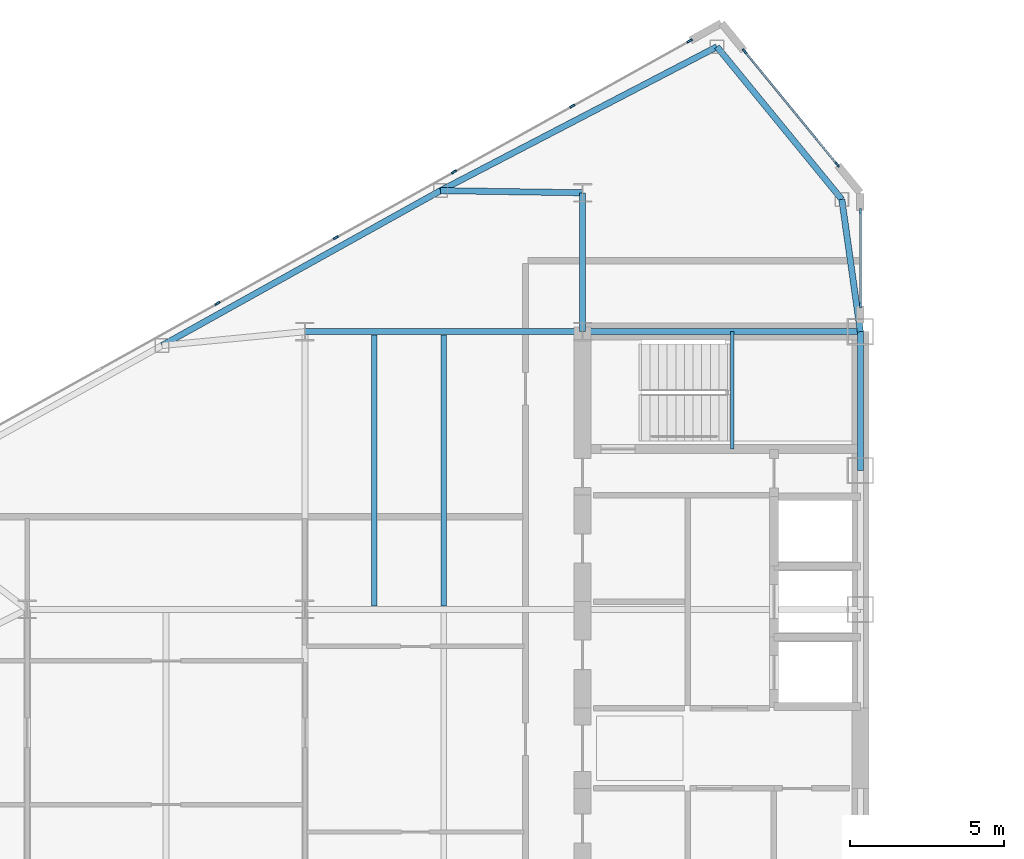
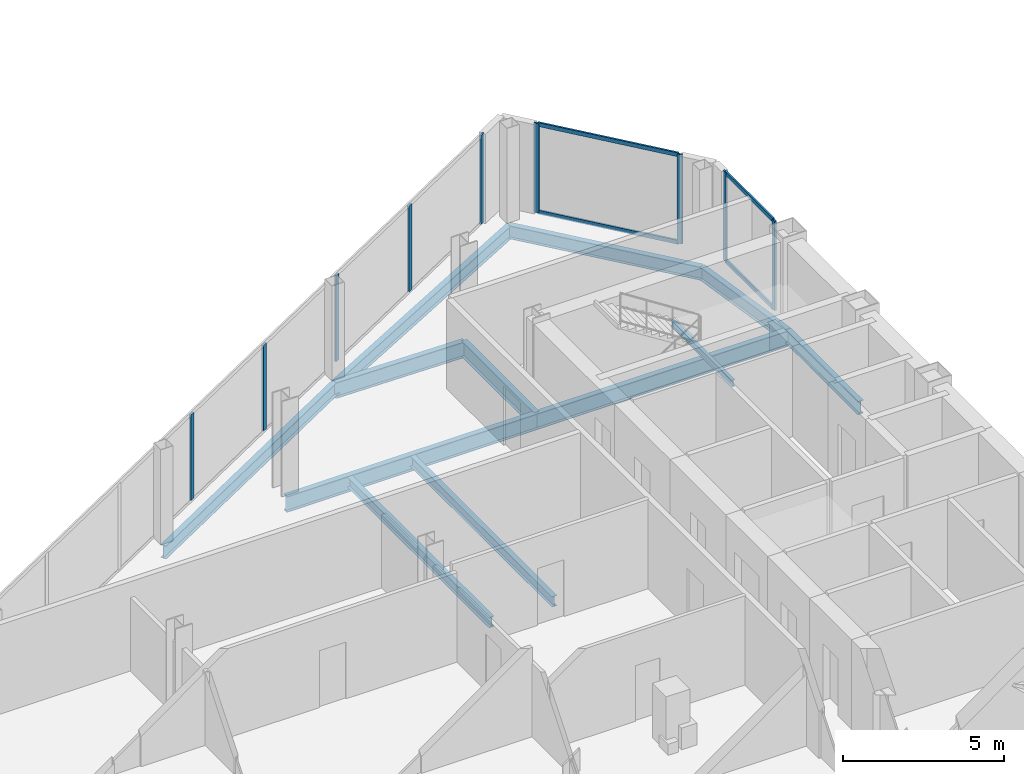
# One storey, part 10 of 26: 13 members, 12 beams, 3 elements without a shape of their own.
"""IFC4 building model written with IfcOpenShell, lengths in metres."""

from ifc_helpers import new_model, si_unit, direction, frame, origin, origin_2d, place, context, subcontext, project, spatial, rectangle, i_section, extrude, source, transform, mapped, material, layer, layer_set, material_profile, profile_set, type_object, type_shapes, element, aggregate, save


model = new_model("IFC4")

# Units and contexts
model_context = context("Model", 3, precision=1e-05, world=origin(), true_north=direction((0.0, 1.0)))
body_context = subcontext(model_context, "Body", "Model", "MODEL_VIEW")
ifc_project = project(units=[si_unit("LENGTHUNIT", "METRE"), si_unit("AREAUNIT", "SQUARE_METRE"), si_unit("VOLUMEUNIT", "CUBIC_METRE"), si_unit("PLANEANGLEUNIT", "RADIAN"), si_unit("MASSUNIT", "GRAM", prefix="KILO")], contexts=[model_context])

# Site, building, storey
site_placement = place(None, origin())
site = spatial("IfcSite", under=ifc_project, at=site_placement, CompositionType="ELEMENT")
building_placement = place(site_placement, origin())
building = spatial("IfcBuilding", under=site, at=building_placement, Name="Seokmaru Belvedere", CompositionType="ELEMENT")
storey_placement = place(building_placement, frame((0.0, 0.0, 181.5)))
storey = spatial("IfcBuildingStorey", under=building, at=storey_placement, Name="L48", CompositionType="ELEMENT", Elevation=181.5)

# Beams
ifc_material_1 = material(Name="Steel SM355 (355 MPa)", Category="steel")
ifc_material_profile_1 = material_profile(ifc_material_1, i_section(OverallWidth=0.199951171875, OverallDepth=0.5, WebThickness=0.010009765625, FlangeThickness=0.01611328125, at=origin_2d()), Name="H-500x200x10x16")
ifc_profile_set_1 = profile_set([ifc_material_profile_1], Name="Steel SM355 (355 MPa)")
beam_type_1 = type_object("IfcBeamType", Name="Perimeter Spandrel Beam H-500", PredefinedType="SPANDREL", material=ifc_profile_set_1)
shared_shape_1 = source(origin(), body_context, "Body", "SweptSolid", [
    extrude(i_section(OverallWidth=0.199951171875, OverallDepth=0.5, WebThickness=0.010009765625, FlangeThickness=0.01611328125, at=origin_2d()), origin(), (0.0, 0.0, 1.0), 4.5),
])
beam_1_placement = place(storey_placement, frame((-27.5, 9.0, -0.469970703125), z_axis=(0.0, 1.0, 0.0), x_axis=(-1.0, 0.0, 0.0)))
element("IfcBeam", 1, at=beam_1_placement, inside=storey, type_object=beam_type_1, Name="L48 W Portal Spine Spandrel 5", PredefinedType="SPANDREL", context=body_context, shape_type="MappedRepresentation", body=[
    mapped(shared_shape_1, transform((0.0, 0.0, 0.0), scale=1.0)),
])
ifc_material_profile_2 = material_profile(ifc_material_1, i_section(OverallWidth=0.199951171875, OverallDepth=0.60009765625, WebThickness=0.010986328125, FlangeThickness=0.01708984375, at=origin_2d()), Name="H-600x200x11x17")
ifc_profile_set_2 = profile_set([ifc_material_profile_2], Name="Steel SM355 (355 MPa)")
beam_type_2 = type_object("IfcBeamType", Name="Primary Floor Girder H-600", PredefinedType="BEAM", material=ifc_profile_set_2)
shared_shape_2 = source(origin(), body_context, "Body", "SweptSolid", [
    extrude(i_section(OverallWidth=0.199951171875, OverallDepth=0.60009765625, WebThickness=0.010986328125, FlangeThickness=0.01708984375, at=origin_2d()), origin(), (0.0, 0.0, 1.0), 9.0),
])
for number, where, z_axis, x_axis, name in (
    (2, (-36.5, 13.5, -0.52001953125), (1.0, 0.0, 0.0), (0.0, 1.0, 0.0), "L48 W Core Tie Girder 4"),
    (3, (-45.5, 13.5, -0.52001953125), (1.0, 0.0, 0.0), (0.0, 1.0, 0.0), "L48 W Wing Primary Girder 4"),
):
    element("IfcBeam", number, at=place(storey_placement, frame(where, z_axis=z_axis, x_axis=x_axis)), inside=storey, type_object=beam_type_2, Name=name, PredefinedType="BEAM", context=body_context, shape_type="MappedRepresentation", body=[
        mapped(shared_shape_2, transform((0.0, 0.0, 0.0), scale=1.0)),
    ])
ifc_material_profile_3 = material_profile(ifc_material_1, i_section(OverallWidth=0.18505859375, OverallDepth=0.389892578125, WebThickness=0.008056640625, FlangeThickness=0.011962890625, at=origin_2d()), Name="H-390x185x8x12")
ifc_profile_set_3 = profile_set([ifc_material_profile_3], Name="Steel SM355 (355 MPa)")
beam_type_3 = type_object("IfcBeamType", Name="Secondary Floor Joist H-350", PredefinedType="JOIST", material=ifc_profile_set_3)
shared_shape_3 = source(origin(), body_context, "Body", "SweptSolid", [
    extrude(i_section(OverallWidth=0.18505859375, OverallDepth=0.389892578125, WebThickness=0.008056640625, FlangeThickness=0.011962890625, at=origin_2d()), origin(), (0.0, 0.0, 1.0), 8.7900390625),
])
type_shapes(beam_type_3, [shared_shape_3])
for number, where, z_axis, x_axis, name in (
    (4, (-43.25, 4.60498046875, -0.4150390625), (0.0, 1.0, 0.0), (-1.0, 0.0, 0.0), "L48 W Wing Inner Secondary Joist 2"),
    (5, (-41.0, 4.60498046875, -0.4150390625), (0.0, 1.0, 0.0), (-1.0, 0.0, 0.0), "L48 W Secondary Floor Joist 3"),
):
    element("IfcBeam", number, at=place(storey_placement, frame(where, z_axis=z_axis, x_axis=x_axis)), inside=storey, type_object=beam_type_3, Name=name, PredefinedType="JOIST", context=body_context, shape_type="MappedRepresentation", body=[
        mapped(shared_shape_3, transform((0.0, 0.0, 0.0), scale=1.0)),
    ])
shared_shape_4 = source(origin(), body_context, "Body", "SweptSolid", [
    extrude(i_section(OverallWidth=0.199951171875, OverallDepth=0.60009765625, WebThickness=0.010986328125, FlangeThickness=0.01708984375, at=origin_2d()), origin(), (0.0, 0.0, 1.0), 4.5),
])
beam_2_placement = place(storey_placement, frame((-36.5, 13.5, -0.52001953125), z_axis=(0.0, 1.0, 0.0), x_axis=(-1.0, 0.0, 0.0)))
element("IfcBeam", 6, at=beam_2_placement, inside=storey, type_object=beam_type_2, Name="L48 W Core Shoulder Girder N", PredefinedType="BEAM", context=body_context, shape_type="MappedRepresentation", body=[
    mapped(shared_shape_4, transform((0.0, 0.0, 0.0), scale=1.0)),
])
shared_shape_5 = source(origin(), body_context, "Body", "SweptSolid", [
    extrude(i_section(OverallWidth=0.199951171875, OverallDepth=0.5, WebThickness=0.010009765625, FlangeThickness=0.01611328125, at=origin_2d()), origin(), (0.0, 0.0, 1.0), 10.09716796875),
])
beam_3_placement = place(storey_placement, frame((-32.146728515625, 22.731689453125, -0.469970703125), z_axis=(-0.887085728914, -0.461604711369, 0.0), x_axis=(0.461604711369, -0.887085728914, 0.0)))
element("IfcBeam", 7, at=beam_3_placement, inside=storey, type_object=beam_type_1, Name="L48 W Faceted Flank Spandrel N-1", PredefinedType="SPANDREL", context=body_context, shape_type="MappedRepresentation", body=[
    mapped(shared_shape_5, transform((0.0, 0.0, 0.0), scale=1.0)),
])
shared_shape_6 = source(origin(), body_context, "Body", "SweptSolid", [
    extrude(i_section(OverallWidth=0.199951171875, OverallDepth=0.5, WebThickness=0.010009765625, FlangeThickness=0.01611328125, at=origin_2d()), origin(), (0.0, 0.0, 1.0), 10.327392578125),
])
beam_4_placement = place(storey_placement, frame((-41.103759765625, 18.07080078125, -0.469970703125), z_axis=(-0.873924120588, -0.486062374037, 0.0), x_axis=(0.486062374037, -0.873924120588, 0.0)))
element("IfcBeam", 8, at=beam_4_placement, inside=storey, type_object=beam_type_1, Name="L48 W Faceted Flank Spandrel N-2", PredefinedType="SPANDREL", context=body_context, shape_type="MappedRepresentation", body=[
    mapped(shared_shape_6, transform((0.0, 0.0, 0.0), scale=1.0)),
])
shared_shape_7 = source(origin(), body_context, "Body", "SweptSolid", [
    extrude(i_section(OverallWidth=0.199951171875, OverallDepth=0.5, WebThickness=0.010009765625, FlangeThickness=0.01611328125, at=origin_2d()), origin(), (0.0, 0.0, 1.0), 6.390380859375),
])
beam_5_placement = place(storey_placement, frame((-32.146728515625, 22.731689453125, -0.469970703125), z_axis=(0.63324403161, -0.7739521926, 0.0), x_axis=(0.7739521926, 0.63324403161, 0.0)))
element("IfcBeam", 9, at=beam_5_placement, inside=storey, type_object=beam_type_1, Name="L48 W Shoulder Chamfer Spandrel N", PredefinedType="SPANDREL", context=body_context, shape_type="MappedRepresentation", body=[
    mapped(shared_shape_7, transform((0.0, 0.0, 0.0), scale=1.0)),
])
shared_shape_8 = source(origin(), body_context, "Body", "SweptSolid", [
    extrude(i_section(OverallWidth=0.199951171875, OverallDepth=0.5, WebThickness=0.010009765625, FlangeThickness=0.01611328125, at=origin_2d()), origin(), (0.0, 0.0, 1.0), 4.32763671875),
])
type_shapes(beam_type_1, [shared_shape_1, shared_shape_5, shared_shape_6, shared_shape_7, shared_shape_8])
beam_6_placement = place(storey_placement, frame((-28.10009765625, 17.785888671875, -0.469970703125), z_axis=(0.138664443237, -0.990339422714, 0.0), x_axis=(0.990339422714, 0.138664443237, 0.0)))
element("IfcBeam", 10, at=beam_6_placement, inside=storey, type_object=beam_type_1, Name="L48 W Shoulder Spine Spandrel N", PredefinedType="SPANDREL", context=body_context, shape_type="MappedRepresentation", body=[
    mapped(shared_shape_8, transform((0.0, 0.0, 0.0), scale=1.0)),
])
shared_shape_9 = source(origin(), body_context, "Body", "SweptSolid", [
    extrude(i_section(OverallWidth=0.199951171875, OverallDepth=0.60009765625, WebThickness=0.010986328125, FlangeThickness=0.01708984375, at=origin_2d()), origin(), (0.0, 0.0, 1.0), 4.604248046875),
])
type_shapes(beam_type_2, [shared_shape_2, shared_shape_4, shared_shape_9])
beam_7_placement = place(storey_placement, frame((-41.103759765625, 18.07080078125, -0.52001953125), z_axis=(0.999881765622, -0.01537708607, 0.0), x_axis=(0.01537708607, 0.999881765622, 0.0)))
element("IfcBeam", 11, at=beam_7_placement, inside=storey, type_object=beam_type_2, Name="L48 W Flank Radial Floor Girder N-1", PredefinedType="BEAM", context=body_context, shape_type="MappedRepresentation", body=[
    mapped(shared_shape_9, transform((0.0, 0.0, 0.0), scale=1.0)),
])

# Curtain wall, members
ifc_material_2 = material(Name="Bronze Triple Insulating Glass", Category="glass")
ifc_layer = layer(ifc_material_2, 0.179931640625)
ifc_layer_set = layer_set([ifc_layer], Name="Bronze Triple Insulating Glass")
curtain_wall_type = type_object("IfcCurtainWallType", Name="High-Rise Wind-Corner Curtain Wall System CW-5", PredefinedType="NOTDEFINED", material=ifc_layer_set)
curtain_wall_1_placement = place(storey_placement, origin())
curtain_wall_1 = element("IfcCurtainWall", 12, at=curtain_wall_1_placement, inside=storey, type_object=curtain_wall_type, Name="L48 Curtain Wall WSP_2", PredefinedType="NOTDEFINED")
ifc_material_3 = material(Name="Anodised Bronze Aluminium", Category="aluminium")
ifc_material_profile_4 = material_profile(ifc_material_3, rectangle(XDim=0.06494140625, YDim=0.14990234375, at=origin_2d()), Name="CW-T-65x150")
ifc_profile_set_4 = profile_set([ifc_material_profile_4], Name="Anodised Bronze Aluminium")
member_type_1 = type_object("IfcMemberType", Name="Bronze Unitised Transom 65x150", PredefinedType="USERDEFINED", material=ifc_profile_set_4)
shared_shape_10 = source(origin(), body_context, "Body", "SweptSolid", [
    extrude(rectangle(XDim=0.06494140625, YDim=0.14990234375, at=origin_2d()), origin(), (0.0, 0.0, 1.0), 2.969970703125),
])
member_1_placement = place(storey_placement, frame((-27.5, 14.39501953125, 0.032470703125), z_axis=(0.0, 1.0, 0.0), x_axis=(-1.0, 0.0, 0.0)))
member_1 = element("IfcMember", 13, at=member_1_placement, type_object=member_type_1, Name="CW:L48:WSP_2 Continuous Transom 1", ObjectType="TRANSOM", PredefinedType="USERDEFINED", context=body_context, shape_type="MappedRepresentation", body=[
    mapped(shared_shape_10, transform((0.0, 0.0, 0.0), scale=1.0)),
])
member_2_placement = place(storey_placement, frame((-27.5, 14.39501953125, 3.347412109375), z_axis=(0.0, 1.0, 0.0), x_axis=(-1.0, 0.0, 0.0)))
member_2 = element("IfcMember", 14, at=member_2_placement, type_object=member_type_1, Name="CW:L48:WSP_2 Continuous Transom 2", ObjectType="TRANSOM", PredefinedType="USERDEFINED", context=body_context, shape_type="MappedRepresentation", body=[
    mapped(shared_shape_10, transform((0.0, 0.0, 0.0), scale=1.0)),
])

curtain_wall_2_placement = place(storey_placement, origin())
curtain_wall_2 = element("IfcCurtainWall", 15, at=curtain_wall_2_placement, inside=storey, type_object=curtain_wall_type, Name="L48 Curtain Wall WF2", PredefinedType="NOTDEFINED")
shared_shape_11 = source(origin(), body_context, "Body", "SweptSolid", [
    extrude(rectangle(XDim=0.06494140625, YDim=0.14990234375, at=origin_2d()), origin(), (0.0, 0.0, 1.0), 4.67626953125),
])
type_shapes(member_type_1, [shared_shape_10, shared_shape_11])
member_3_placement = place(storey_placement, frame((-28.269287109375, 18.9404296875, 0.032470703125), z_axis=(-0.633277591216, 0.773924733074, 0.0), x_axis=(-0.773924733074, -0.633277591216, 0.0)))
member_3 = element("IfcMember", 16, at=member_3_placement, type_object=member_type_1, Name="CW:L48:WF2 Continuous Transom 1", ObjectType="TRANSOM", PredefinedType="USERDEFINED", context=body_context, shape_type="MappedRepresentation", body=[
    mapped(shared_shape_11, transform((0.0, 0.0, 0.0), scale=1.0)),
])
member_4_placement = place(storey_placement, frame((-28.269287109375, 18.9404296875, 3.347412109375), z_axis=(-0.633277591216, 0.773924733074, 0.0), x_axis=(-0.773924733074, -0.633277591216, 0.0)))
member_4 = element("IfcMember", 17, at=member_4_placement, type_object=member_type_1, Name="CW:L48:WF2 Continuous Transom 2", ObjectType="TRANSOM", PredefinedType="USERDEFINED", context=body_context, shape_type="MappedRepresentation", body=[
    mapped(shared_shape_11, transform((0.0, 0.0, 0.0), scale=1.0)),
])

# Member
ifc_material_profile_5 = material_profile(ifc_material_3, rectangle(XDim=0.06494140625, YDim=0.179931640625, at=origin_2d()), Name="CW-M-65x180")
ifc_profile_set_5 = profile_set([ifc_material_profile_5], Name="Anodised Bronze Aluminium")
member_type_2 = type_object("IfcMemberType", Name="Bronze Unitised Mullion 65x180", PredefinedType="MULLION", material=ifc_profile_set_5)
shared_shape_12 = source(origin(), body_context, "Body", "SweptSolid", [
    extrude(rectangle(XDim=0.06494140625, YDim=0.179931640625, at=origin_2d()), origin(), (0.0, 0.0, 1.0), 3.3798828125),
])
member_5_placement = place(storey_placement, frame((-27.5, 14.362548828125, 0.0), z_axis=(0.0, 0.0, 1.0), x_axis=(-1.0, 0.0, 0.0)))
member_5 = element("IfcMember", 18, at=member_5_placement, type_object=member_type_2, Name="CW:L48:WSP_2 Mullion 1", PredefinedType="MULLION", context=body_context, shape_type="MappedRepresentation", body=[
    mapped(shared_shape_12, transform((0.0, 0.0, 0.0), scale=1.0)),
])

member_6_placement = place(storey_placement, frame((-27.5, 17.3974609375, 0.0), z_axis=(0.0, 0.0, 1.0), x_axis=(-1.0, 0.0, 0.0)))
member_6 = element("IfcMember", 19, at=member_6_placement, type_object=member_type_2, Name="CW:L48:WSP_2 Mullion 2", PredefinedType="MULLION", context=body_context, shape_type="MappedRepresentation", body=[
    mapped(shared_shape_12, transform((0.0, 0.0, 0.0), scale=1.0)),
])

aggregate(curtain_wall_1, [member_5, member_6, member_1, member_2])

member_7_placement = place(storey_placement, frame((-28.248779296875, 18.915283203125, 0.0), z_axis=(0.0, 0.0, 1.0), x_axis=(-0.773944112379, -0.633253907144, 0.0)))
member_7 = element("IfcMember", 20, at=member_7_placement, type_object=member_type_2, Name="CW:L48:WF2 Mullion 1", PredefinedType="MULLION", context=body_context, shape_type="MappedRepresentation", body=[
    mapped(shared_shape_12, transform((0.0, 0.0, 0.0), scale=1.0)),
])

member_8_placement = place(storey_placement, frame((-31.251220703125, 22.584716796875, 0.0), z_axis=(0.0, 0.0, 1.0), x_axis=(-0.773944112379, -0.633253907144, 0.0)))
member_8 = element("IfcMember", 21, at=member_8_placement, type_object=member_type_2, Name="CW:L48:WF2 Mullion 2", PredefinedType="MULLION", context=body_context, shape_type="MappedRepresentation", body=[
    mapped(shared_shape_12, transform((0.0, 0.0, 0.0), scale=1.0)),
])

aggregate(curtain_wall_2, [member_7, member_8, member_3, member_4])

# Curtain wall, members
curtain_wall_3_placement = place(storey_placement, origin())
curtain_wall_3 = element("IfcCurtainWall", 22, at=curtain_wall_3_placement, inside=storey, type_object=curtain_wall_type, Name="L48 Curtain Wall WF3", PredefinedType="NOTDEFINED")
member_9_placement = place(storey_placement, frame((-33.033447265625, 22.92529296875, 0.0), z_axis=(0.0, 0.0, 1.0), x_axis=(0.486047125147, -0.873932601598, 0.0)))
member_9 = element("IfcMember", 23, at=member_9_placement, type_object=member_type_2, Name="CW:L48:WF3 Mullion 1", PredefinedType="MULLION", context=body_context, shape_type="MappedRepresentation", body=[
    mapped(shared_shape_12, transform((0.0, 0.0, 0.0), scale=1.0)),
])
shared_shape_13 = source(origin(), body_context, "Body", "SweptSolid", [
    extrude(rectangle(XDim=0.06494140625, YDim=0.179931640625, at=origin_2d()), origin(), (0.0, 0.0, 1.0), 3.25),
])
type_shapes(member_type_2, [shared_shape_12, shared_shape_13])
member_10_placement = place(storey_placement, frame((-36.837158203125, 20.809814453125, 0.06494140625), z_axis=(0.0, 0.0, 1.0), x_axis=(0.486047125147, -0.873932601598, 0.0)))
member_10 = element("IfcMember", 24, at=member_10_placement, type_object=member_type_2, Name="CW:L48:WF3 Mullion 2", PredefinedType="MULLION", context=body_context, shape_type="MappedRepresentation", body=[
    mapped(shared_shape_13, transform((0.0, 0.0, 0.0), scale=1.0)),
])
member_11_placement = place(storey_placement, frame((-40.66943359375, 18.67822265625, 0.06494140625), z_axis=(0.0, 0.0, 1.0), x_axis=(0.486047125147, -0.873932601598, 0.0)))
member_11 = element("IfcMember", 25, at=member_11_placement, type_object=member_type_2, Name="CW:L48:WF3 Mullion 3", PredefinedType="MULLION", context=body_context, shape_type="MappedRepresentation", body=[
    mapped(shared_shape_13, transform((0.0, 0.0, 0.0), scale=1.0)),
])
member_12_placement = place(storey_placement, frame((-44.501708984375, 16.547119140625, 0.06494140625), z_axis=(0.0, 0.0, 1.0), x_axis=(0.486047125147, -0.873932601598, 0.0)))
member_12 = element("IfcMember", 26, at=member_12_placement, type_object=member_type_2, Name="CW:L48:WF3 Mullion 4", PredefinedType="MULLION", context=body_context, shape_type="MappedRepresentation", body=[
    mapped(shared_shape_13, transform((0.0, 0.0, 0.0), scale=1.0)),
])
member_13_placement = place(storey_placement, frame((-48.333984375, 14.415771484375, 0.06494140625), z_axis=(0.0, 0.0, 1.0), x_axis=(0.486047125147, -0.873932601598, 0.0)))
member_13 = element("IfcMember", 27, at=member_13_placement, type_object=member_type_2, Name="CW:L48:WF3 Mullion 5", PredefinedType="MULLION", context=body_context, shape_type="MappedRepresentation", body=[
    mapped(shared_shape_13, transform((0.0, 0.0, 0.0), scale=1.0)),
])
aggregate(curtain_wall_3, [member_9, member_10, member_11, member_12, member_13])

# Beam
ifc_material_profile_6 = material_profile(ifc_material_1, i_section(OverallWidth=0.125, OverallDepth=0.25, WebThickness=0.006103515625, FlangeThickness=0.009033203125, at=origin_2d()), Name="H-250x125x6x9")
ifc_profile_set_6 = profile_set([ifc_material_profile_6], Name="Steel SM355 (355 MPa)")
beam_type_4 = type_object("IfcBeamType", Name="Stair Mid-Landing Support Beam H-250", PredefinedType="JOIST", material=ifc_profile_set_6)
shared_shape_14 = source(origin(), body_context, "Body", "SweptSolid", [
    extrude(i_section(OverallWidth=0.125, OverallDepth=0.25, WebThickness=0.006103515625, FlangeThickness=0.009033203125, at=origin_2d()), origin(), (0.0, 0.0, 1.0), 3.800048828125),
])
type_shapes(beam_type_4, [shared_shape_14])
beam_8_placement = place(storey_placement, frame((-31.64990234375, 9.699951171875, 1.47509765625), z_axis=(0.0, 1.0, 0.0), x_axis=(-1.0, 0.0, 0.0)))
element("IfcBeam", 28, at=beam_8_placement, inside=storey, type_object=beam_type_4, Name="L48 Stair ST-W2 Mid-Landing Support Beam 1", PredefinedType="JOIST", context=body_context, shape_type="MappedRepresentation", body=[
    mapped(shared_shape_14, transform((0.0, 0.0, 0.0), scale=1.0)),
])

save(model, "model.ifc")
